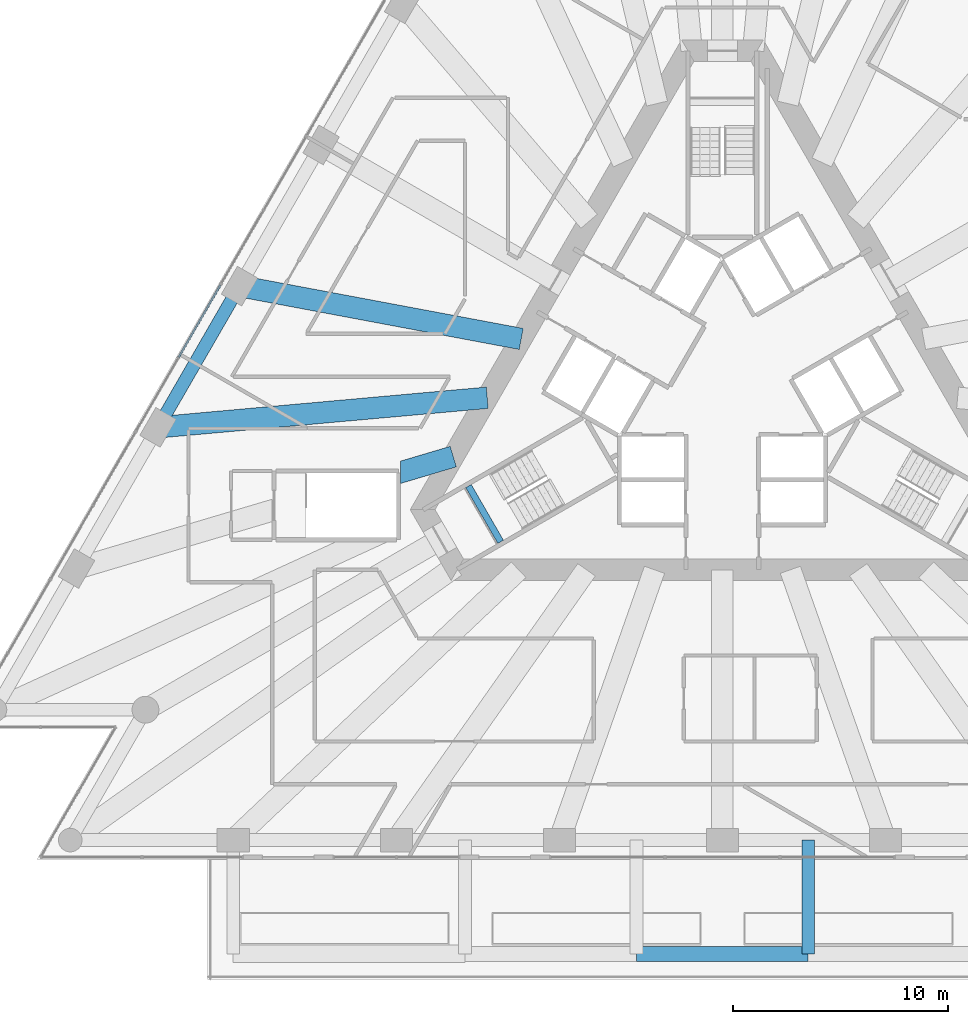
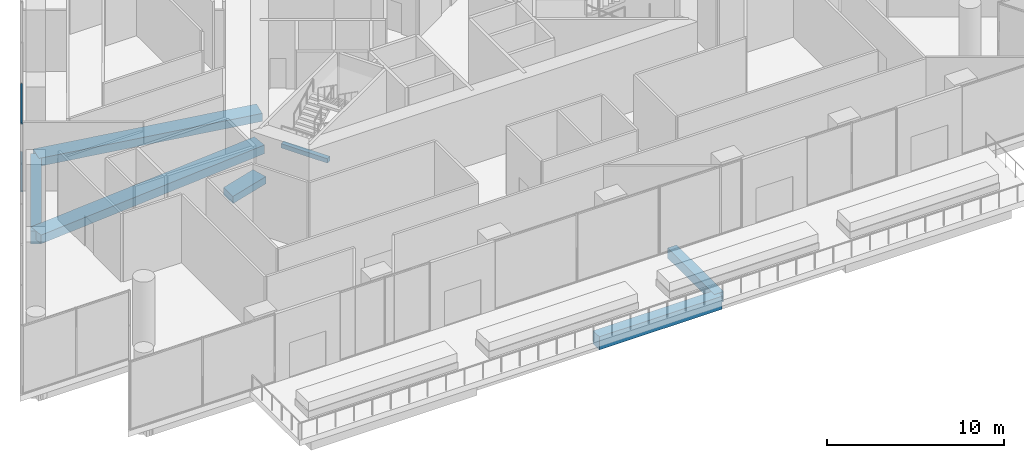
# One storey, part 7 of 28: 7 beams, 2 members, 1 element without a shape of its own.
"""IFC4 building model written with IfcOpenShell, lengths in metres."""

from ifc_helpers import new_model, si_unit, direction, frame, origin, origin_2d, place, context, subcontext, project, spatial, rectangle, extrude, clip, halfspace, material, layer, layer_set, material_profile, profile_set, type_object, element, aggregate, save


model = new_model("IFC4")

# Units and contexts
model_context = context("Model", 3, precision=1e-05, world=origin(), true_north=direction((0.0, 1.0)))
body_context = subcontext(model_context, "Body", "Model", "MODEL_VIEW")
ifc_project = project(units=[si_unit("LENGTHUNIT", "METRE"), si_unit("AREAUNIT", "SQUARE_METRE"), si_unit("VOLUMEUNIT", "CUBIC_METRE"), si_unit("PLANEANGLEUNIT", "RADIAN"), si_unit("MASSUNIT", "GRAM", prefix="KILO")], contexts=[model_context])

# Site, building, storey
site_placement = place(None, origin())
site = spatial("IfcSite", under=ifc_project, at=site_placement, CompositionType="ELEMENT")
building_placement = place(site_placement, origin())
building = spatial("IfcBuilding", under=site, at=building_placement, Name="Triada Interchange Tower", CompositionType="ELEMENT")
storey_placement = place(building_placement, frame((0.0, 0.0, 30.300048828125)))
storey = spatial("IfcBuildingStorey", under=building, at=storey_placement, Name="L05", CompositionType="ELEMENT", Elevation=30.300048828125)

# Beams
ifc_material_1 = material(Name="Concrete C35/45", Category="concrete")
ifc_material_profile_1 = material_profile(ifc_material_1, rectangle(XDim=0.300048828125, YDim=0.300048828125, at=origin_2d()), Name="RC 300x300")
ifc_profile_set_1 = profile_set([ifc_material_profile_1], Name="Concrete C35/45")
beam_type_1 = type_object("IfcBeamType", Name="Landing support beam RC 300x300", PredefinedType="BEAM", material=ifc_profile_set_1)
beam_1_placement = place(storey_placement, frame((-11.8349609375, -5.10107421875, 2.14990234375), z_axis=(0.50002537861, -0.866010750942, 0.0), x_axis=(0.866010750942, 0.50002537861, 0.0)))
element("IfcBeam", 1, at=beam_1_placement, inside=storey, type_object=beam_type_1, Name="Landing support beam S05-2 1", PredefinedType="BEAM", context=body_context, shape_type="SweptSolid", body=[
    extrude(rectangle(XDim=0.300048828125, YDim=0.300048828125, at=origin_2d()), origin(), (0.0, 0.0, 1.0), 2.999755859375),
])
ifc_material_2 = material(Name="Concrete C50/60", Category="concrete")
ifc_material_profile_2 = material_profile(ifc_material_2, rectangle(XDim=1.0, YDim=0.5, at=origin_2d()), Name="RC 1000x500")
ifc_profile_set_2 = profile_set([ifc_material_profile_2], Name="Concrete C50/60")
beam_type_2 = type_object("IfcBeamType", Name="Radial band beam P RC 1000x500", PredefinedType="BEAM", material=ifc_profile_set_2)
beam_2_placement = place(storey_placement, frame((-16.43798828125, -4.884033203125, -0.650146484375), z_axis=(0.95858381739, 0.284810577468, 0.0), x_axis=(-0.284810577468, 0.95858381739, 0.0)))
element("IfcBeam", 2, at=beam_2_placement, inside=storey, type_object=beam_type_2, Name="Radial band beam BP08B L05", PredefinedType="BEAM", context=body_context, shape_type="Clipping", body=[
    clip(extrude(rectangle(XDim=1.0, YDim=0.5, at=origin_2d()), origin(), (0.0, 0.0, 1.0), 4.062255859375), halfspace(frame((0.150146484375, -29.64990234375, 1.544677734375), z_axis=(0.284810577468, 0.0, -0.95858381739), x_axis=(0.0, -1.0, 0.0)), False)),
])
ifc_material_profile_3 = material_profile(ifc_material_2, rectangle(XDim=1.0, YDim=0.550048828125, at=origin_2d()), Name="RC 1000x550")
ifc_profile_set_3 = profile_set([ifc_material_profile_3], Name="Concrete C50/60")
beam_type_3 = type_object("IfcBeamType", Name="Radial band beam P RC 1000x550", PredefinedType="BEAM", material=ifc_profile_set_3)
beam_3_placement = place(storey_placement, frame((-22.506103515625, 4.218994140625, -0.675048828125), z_axis=(0.982880256044, -0.184245494596, 0.0), x_axis=(0.184245494596, 0.982880256044, 0.0)))
element("IfcBeam", 3, at=beam_3_placement, inside=storey, type_object=beam_type_3, Name="Radial band beam BP06 L05", PredefinedType="BEAM", context=body_context, shape_type="SweptSolid", body=[
    extrude(rectangle(XDim=1.0, YDim=0.550048828125, at=origin_2d()), origin(), (0.0, 0.0, 1.0), 13.35693359375),
])
ifc_material_profile_4 = material_profile(ifc_material_2, rectangle(XDim=1.0, YDim=0.60009765625, at=origin_2d()), Name="RC 1000x600")
ifc_profile_set_4 = profile_set([ifc_material_profile_4], Name="Concrete C50/60")
beam_type_4 = type_object("IfcBeamType", Name="Radial band beam P RC 1000x600", PredefinedType="BEAM", material=ifc_profile_set_4)
beam_4_placement = place(storey_placement, frame((-26.305908203125, -2.362060546875, -0.699951171875), z_axis=(0.995991072831, 0.089452684934, 0.0), x_axis=(-0.089452684934, 0.995991072831, 0.0)))
element("IfcBeam", 4, at=beam_4_placement, inside=storey, type_object=beam_type_4, Name="Radial band beam BP07 L05", PredefinedType="BEAM", context=body_context, shape_type="SweptSolid", body=[
    extrude(rectangle(XDim=1.0, YDim=0.60009765625, at=origin_2d()), origin(), (0.0, 0.0, 1.0), 15.40673828125),
])
ifc_material_profile_5 = material_profile(ifc_material_2, rectangle(XDim=0.60009765625, YDim=0.89990234375, at=origin_2d()), Name="RC 600x900")
ifc_profile_set_5 = profile_set([ifc_material_profile_5], Name="Concrete C50/60")
beam_type_5 = type_object("IfcBeamType", Name="Spandrel beam P RC 600x900", PredefinedType="BEAM", material=ifc_profile_set_5)
beam_5_placement = place(storey_placement, frame((-22.506103515625, 4.218994140625, -0.85009765625), z_axis=(-0.500022797313, -0.86601224135, 0.0), x_axis=(0.86601224135, -0.500022797313, 0.0)))
element("IfcBeam", 5, at=beam_5_placement, inside=storey, type_object=beam_type_5, Name="Spandrel beam EP06 L05", PredefinedType="BEAM", context=body_context, shape_type="SweptSolid", body=[
    extrude(rectangle(XDim=0.60009765625, YDim=0.89990234375, at=origin_2d()), origin(), (0.0, 0.0, 1.0), 7.599365234375),
])
ifc_material_3 = material(Name="Concrete C40/50", Category="concrete")
ifc_material_profile_6 = material_profile(ifc_material_3, rectangle(XDim=0.60009765625, YDim=0.699951171875, at=origin_2d()), Name="RC 600x700")
ifc_profile_set_6 = profile_set([ifc_material_profile_6], Name="Concrete C40/50")
beam_type_6 = type_object("IfcBeamType", Name="Terrace beam RC 600x700", PredefinedType="BEAM", material=ifc_profile_set_6)
beam_6_placement = place(storey_placement, frame((4.0, -26.89990234375, -0.75), z_axis=(0.0, 1.0, 0.0), x_axis=(-1.0, 0.0, 0.0)))
element("IfcBeam", 6, at=beam_6_placement, inside=storey, type_object=beam_type_6, Name="Terrace beam TE04 L05", PredefinedType="BEAM", context=body_context, shape_type="SweptSolid", body=[
    extrude(rectangle(XDim=0.60009765625, YDim=0.699951171875, at=origin_2d()), origin(), (0.0, 0.0, 1.0), 5.2998046875),
])
ifc_material_profile_7 = material_profile(ifc_material_3, rectangle(XDim=0.699951171875, YDim=0.89990234375, at=origin_2d()), Name="RC 700x900")
ifc_profile_set_7 = profile_set([ifc_material_profile_7], Name="Concrete C40/50")
beam_type_7 = type_object("IfcBeamType", Name="Terrace beam RC 700x900", PredefinedType="BEAM", material=ifc_profile_set_7)
beam_7_placement = place(storey_placement, frame((-4.0, -26.89990234375, -0.85009765625), z_axis=(1.0, 0.0, 0.0), x_axis=(0.0, 1.0, 0.0)))
element("IfcBeam", 7, at=beam_7_placement, inside=storey, type_object=beam_type_7, Name="Terrace beam TE09 L05", PredefinedType="BEAM", context=body_context, shape_type="SweptSolid", body=[
    extrude(rectangle(XDim=0.699951171875, YDim=0.89990234375, at=origin_2d()), origin(), (0.0, 0.0, 1.0), 8.0),
])

# Curtain wall, members
ifc_material_4 = material(Name="Aluminium framed glazing", Category="aluminium")
ifc_layer = layer(ifc_material_4, 0.199951171875)
ifc_layer_set = layer_set([ifc_layer], Name="Curtain wall Winter garden glazing")
curtain_wall_type = type_object("IfcCurtainWallType", Name="Curtain wall Winter garden glazing", PredefinedType="NOTDEFINED", material=ifc_layer_set)
curtain_wall_placement = place(storey_placement, origin())
curtain_wall = element("IfcCurtainWall", 8, at=curtain_wall_placement, inside=storey, type_object=curtain_wall_type, Name="Winter garden glazing CW027 L05", PredefinedType="NOTDEFINED")
ifc_material_5 = material(Name="Aluminium", Category="aluminium")
ifc_material_profile_8 = material_profile(ifc_material_5, rectangle(XDim=0.10009765625, YDim=0.050048828125, at=origin_2d()), Name="Aluminium transom")
ifc_profile_set_8 = profile_set([ifc_material_profile_8], Name="Aluminium")
member_type = type_object("IfcMemberType", Name="Transom Winter garden glazing 100x50", PredefinedType="USERDEFINED", material=ifc_profile_set_8)
member_1_placement = place(storey_placement, frame((-23.39990234375, 4.270751953125, 0.02490234375), z_axis=(-0.499950487857, -0.866053987747, 0.0), x_axis=(0.866053987747, -0.499950487857, 0.0)))
member_1 = element("IfcMember", 9, at=member_1_placement, type_object=member_type, Name="CW027 transom 1.1", ObjectType="TRANSOM", PredefinedType="USERDEFINED", context=body_context, shape_type="SweptSolid", body=[
    extrude(rectangle(XDim=0.10009765625, YDim=0.050048828125, at=origin_2d()), origin(), (0.0, 0.0, 1.0), 3.892578125),
])
member_2_placement = place(storey_placement, frame((-23.39990234375, 4.270751953125, 4.675048828125), z_axis=(-0.499950487857, -0.866053987747, 0.0), x_axis=(0.866053987747, -0.499950487857, 0.0)))
member_2 = element("IfcMember", 10, at=member_2_placement, type_object=member_type, Name="CW027 transom 1.2", ObjectType="TRANSOM", PredefinedType="USERDEFINED", context=body_context, shape_type="SweptSolid", body=[
    extrude(rectangle(XDim=0.10009765625, YDim=0.050048828125, at=origin_2d()), origin(), (0.0, 0.0, 1.0), 3.892578125),
])
aggregate(curtain_wall, [member_1, member_2])

save(model, "model.ifc")
